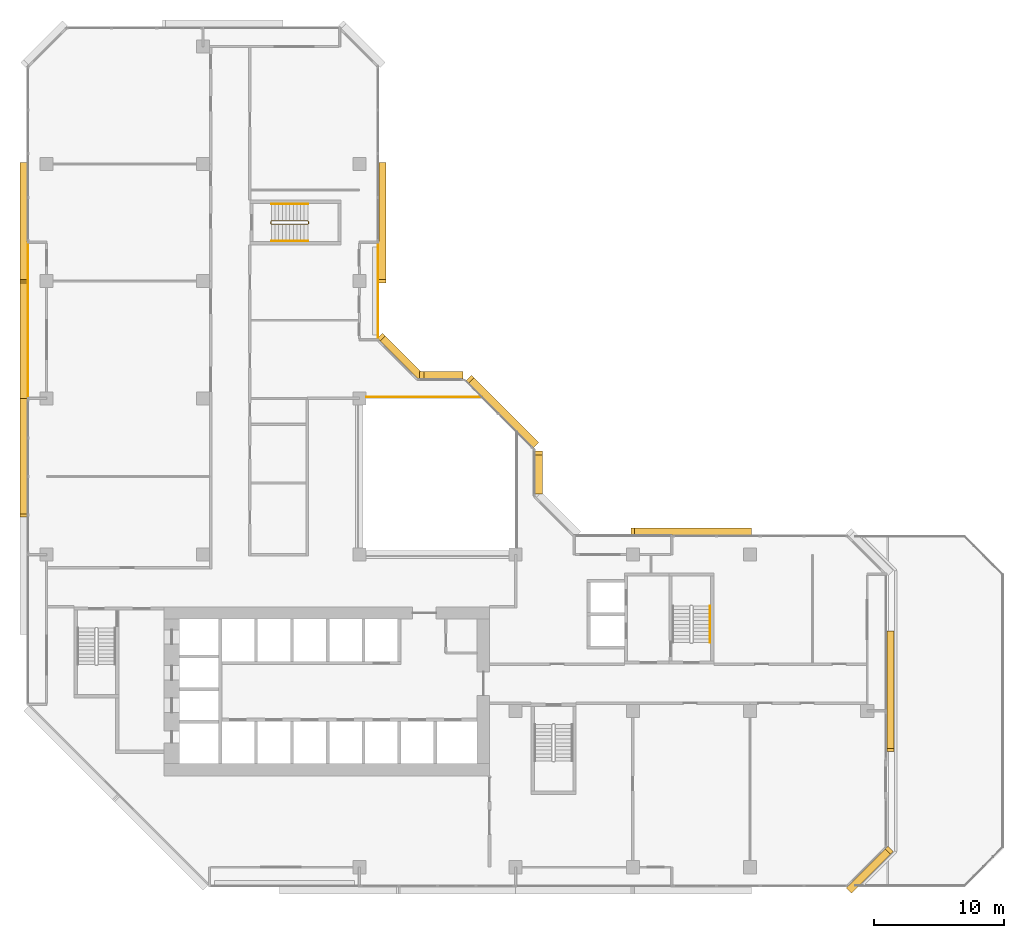
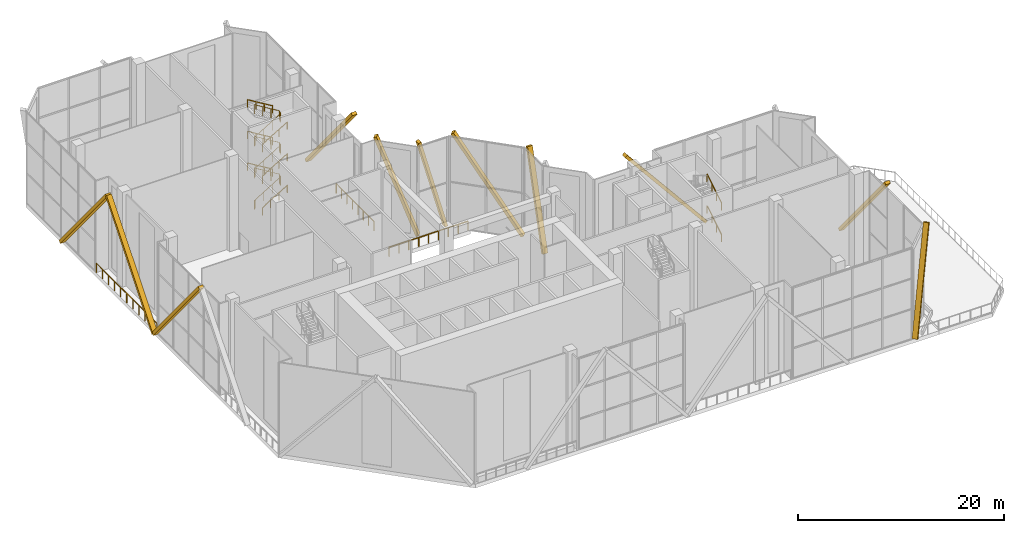
# One storey, part 20 of 21: 12 railings, 11 coverings.
"""IFC4 building model written with IfcOpenShell, lengths in metres."""

from ifc_helpers import new_model, si_unit, direction, frame, origin, origin_2d, place, context, subcontext, project, spatial, rectangle, extrude, material, material_profile, profile_set, type_object, element, save


model = new_model("IFC4")

# Units and contexts
model_context = context("Model", 3, precision=1e-05, world=origin(), true_north=direction((0.0, 1.0)))
body_context = subcontext(model_context, "Body", "Model", "MODEL_VIEW")
ifc_project = project(units=[si_unit("LENGTHUNIT", "METRE"), si_unit("AREAUNIT", "SQUARE_METRE"), si_unit("VOLUMEUNIT", "CUBIC_METRE"), si_unit("PLANEANGLEUNIT", "RADIAN"), si_unit("MASSUNIT", "GRAM", prefix="KILO")], contexts=[model_context])

# Site, building, storey
site_placement = place(None, origin())
site = spatial("IfcSite", under=ifc_project, at=site_placement, CompositionType="ELEMENT")
building_placement = place(site_placement, origin())
building = spatial("IfcBuilding", under=site, at=building_placement, Name="Chenar Terraces", CompositionType="ELEMENT")
storey_placement = place(building_placement, frame((0.0, 0.0, 146.14990234375)))
storey = spatial("IfcBuildingStorey", under=building, at=storey_placement, Name="L34", CompositionType="ELEMENT", Elevation=146.14990234375)

# Railings
ifc_material_1 = material(Name="Powder-coated steel", Category="steel")
railing_type_1 = type_object("IfcRailingType", Name="Guard 1100 steel rail with glass infill", PredefinedType="GUARDRAIL", material=ifc_material_1)
railing_1_placement = place(storey_placement, frame((24.550048828125, 36.10009765625, 0.0)))
element("IfcRailing", 1, at=railing_1_placement, inside=storey, type_object=railing_type_1, Name="Guard L34-2", PredefinedType="GUARDRAIL", context=body_context, shape_type="SweptSolid", body=[
    extrude(rectangle(XDim=0.06005859375, YDim=0.06005859375, at=origin_2d()), frame((0.0, 0.0, 1.070068359375), z_axis=(1.0, 0.0, 0.0), x_axis=(0.0, 1.0, 0.0)), (0.0, 0.0, 1.0), 8.849853515625),
    extrude(rectangle(XDim=0.050048828125, YDim=0.050048828125, at=origin_2d()), origin(), (0.0, 0.0, 1.0), 1.0400390625),
    extrude(rectangle(XDim=0.050048828125, YDim=0.050048828125, at=origin_2d()), frame((1.106201171875, 0.0, 0.0)), (0.0, 0.0, 1.0), 1.0400390625),
    extrude(rectangle(XDim=0.050048828125, YDim=0.050048828125, at=origin_2d()), frame((2.21240234375, 0.0, 0.0)), (0.0, 0.0, 1.0), 1.0400390625),
    extrude(rectangle(XDim=0.050048828125, YDim=0.050048828125, at=origin_2d()), frame((3.318603515625, 0.0, 0.0)), (0.0, 0.0, 1.0), 1.0400390625),
    extrude(rectangle(XDim=0.050048828125, YDim=0.050048828125, at=origin_2d()), frame((4.4248046875, 0.0, 0.0)), (0.0, 0.0, 1.0), 1.0400390625),
    extrude(rectangle(XDim=0.050048828125, YDim=0.050048828125, at=origin_2d()), frame((5.53125, 0.0, 0.0)), (0.0, 0.0, 1.0), 1.0400390625),
    extrude(rectangle(XDim=0.050048828125, YDim=0.050048828125, at=origin_2d()), frame((6.637451171875, 0.0, 0.0)), (0.0, 0.0, 1.0), 1.0400390625),
    extrude(rectangle(XDim=0.050048828125, YDim=0.050048828125, at=origin_2d()), frame((7.74365234375, 0.0, 0.0)), (0.0, 0.0, 1.0), 1.0400390625),
    extrude(rectangle(XDim=0.050048828125, YDim=0.050048828125, at=origin_2d()), frame((8.849853515625, 0.0, 0.0)), (0.0, 0.0, 1.0), 1.0400390625),
])
ifc_material_2 = material(Name="Stainless steel and glass", Category="steel")
railing_type_2 = type_object("IfcRailingType", Name="Loggia guard 1150", PredefinedType="GUARDRAIL", material=ifc_material_2)
railing_2_placement = place(storey_placement, frame((25.449951171875, 40.574951171875, 0.0)))
element("IfcRailing", 2, at=railing_2_placement, inside=storey, type_object=railing_type_2, Name="Loggia guard", PredefinedType="GUARDRAIL", context=body_context, shape_type="SweptSolid", body=[
    extrude(rectangle(XDim=0.048095703125, YDim=0.048095703125, at=origin_2d()), frame((0.0, 0.0, 1.1259765625), z_axis=(0.0, 1.0, 0.0), x_axis=(-1.0, 0.0, 0.0)), (0.0, 0.0, 1.0), 7.35009765625),
    extrude(rectangle(XDim=0.0419921875, YDim=0.0419921875, at=origin_2d()), origin(), (0.0, 0.0, 1.0), 1.101806640625),
    extrude(rectangle(XDim=0.0419921875, YDim=0.0419921875, at=origin_2d()), frame((0.0, 1.050048828125, 0.0)), (0.0, 0.0, 1.0), 1.101806640625),
    extrude(rectangle(XDim=0.0419921875, YDim=0.0419921875, at=origin_2d()), frame((0.0, 2.10009765625, 0.0)), (0.0, 0.0, 1.0), 1.101806640625),
    extrude(rectangle(XDim=0.0419921875, YDim=0.0419921875, at=origin_2d()), frame((0.0, 3.150146484375, 0.0)), (0.0, 0.0, 1.0), 1.101806640625),
    extrude(rectangle(XDim=0.0419921875, YDim=0.0419921875, at=origin_2d()), frame((0.0, 4.199951171875, 0.0)), (0.0, 0.0, 1.0), 1.101806640625),
    extrude(rectangle(XDim=0.0419921875, YDim=0.0419921875, at=origin_2d()), frame((0.0, 5.25, 0.0)), (0.0, 0.0, 1.0), 1.101806640625),
    extrude(rectangle(XDim=0.0419921875, YDim=0.0419921875, at=origin_2d()), frame((0.0, 6.300048828125, 0.0)), (0.0, 0.0, 1.0), 1.101806640625),
    extrude(rectangle(XDim=0.0419921875, YDim=0.0419921875, at=origin_2d()), frame((0.0, 7.35009765625, 0.0)), (0.0, 0.0, 1.0), 1.101806640625),
])
railing_3_placement = place(storey_placement, frame((-1.449951171875, 47.925048828125, 0.0)))
element("IfcRailing", 3, at=railing_3_placement, inside=storey, type_object=railing_type_2, Name="Loggia guard", PredefinedType="GUARDRAIL", context=body_context, shape_type="SweptSolid", body=[
    extrude(rectangle(XDim=0.048095703125, YDim=0.048095703125, at=origin_2d()), frame((0.0, 0.0, 1.1259765625), z_axis=(0.0, -1.0, 0.0), x_axis=(1.0, 0.0, 0.0)), (0.0, 0.0, 1.0), 11.85009765625),
    extrude(rectangle(XDim=0.0419921875, YDim=0.0419921875, at=origin_2d()), origin(), (0.0, 0.0, 1.0), 1.101806640625),
    extrude(rectangle(XDim=0.0419921875, YDim=0.0419921875, at=origin_2d()), frame((0.0, -1.18505859375, 0.0)), (0.0, 0.0, 1.0), 1.101806640625),
    extrude(rectangle(XDim=0.0419921875, YDim=0.0419921875, at=origin_2d()), frame((0.0, -2.3701171875, 0.0)), (0.0, 0.0, 1.0), 1.101806640625),
    extrude(rectangle(XDim=0.0419921875, YDim=0.0419921875, at=origin_2d()), frame((0.0, -3.554931640625, 0.0)), (0.0, 0.0, 1.0), 1.101806640625),
    extrude(rectangle(XDim=0.0419921875, YDim=0.0419921875, at=origin_2d()), frame((0.0, -4.739990234375, 0.0)), (0.0, 0.0, 1.0), 1.101806640625),
    extrude(rectangle(XDim=0.0419921875, YDim=0.0419921875, at=origin_2d()), frame((0.0, -5.925048828125, 0.0)), (0.0, 0.0, 1.0), 1.101806640625),
    extrude(rectangle(XDim=0.0419921875, YDim=0.0419921875, at=origin_2d()), frame((0.0, -7.110107421875, 0.0)), (0.0, 0.0, 1.0), 1.101806640625),
    extrude(rectangle(XDim=0.0419921875, YDim=0.0419921875, at=origin_2d()), frame((0.0, -8.295166015625, 0.0)), (0.0, 0.0, 1.0), 1.101806640625),
    extrude(rectangle(XDim=0.0419921875, YDim=0.0419921875, at=origin_2d()), frame((0.0, -9.47998046875, 0.0)), (0.0, 0.0, 1.0), 1.101806640625),
    extrude(rectangle(XDim=0.0419921875, YDim=0.0419921875, at=origin_2d()), frame((0.0, -10.6650390625, 0.0)), (0.0, 0.0, 1.0), 1.101806640625),
    extrude(rectangle(XDim=0.0419921875, YDim=0.0419921875, at=origin_2d()), frame((0.0, -11.85009765625, 0.0)), (0.0, 0.0, 1.0), 1.101806640625),
])
ifc_material_3 = material(Name="Powder-coated steel", Category="steel")
railing_type_3 = type_object("IfcRailingType", Name="Stair guard 1100", PredefinedType="GUARDRAIL", material=ifc_material_3)
railing_4_placement = place(storey_placement, frame((17.25, 49.625, 11.25)))
element("IfcRailing", 4, at=railing_4_placement, inside=storey, type_object=railing_type_3, Name="L34 ST4 stair guard 1", PredefinedType="GUARDRAIL", context=body_context, shape_type="SweptSolid", body=[
    extrude(rectangle(XDim=0.048095703125, YDim=0.048095703125, at=origin_2d()), frame((0.0, 0.0, 1.076171875), z_axis=(0.854202870247, 0.0, -0.519939858505), x_axis=(0.0, 1.0, 0.0)), (0.0, 0.0, 1.0), 3.278076171875),
    extrude(rectangle(XDim=0.048095703125, YDim=0.048095703125, at=origin_2d()), frame((2.800048828125, 0.0, -0.62841796875), z_axis=(0.270899902878, -0.270899902878, -0.923702595667), x_axis=(0.707106781187, 0.707106781187, 0.0)), (0.0, 0.0, 1.0), 0.184814453125),
    extrude(rectangle(XDim=0.048095703125, YDim=0.048095703125, at=origin_2d()), frame((2.85009765625, -0.050048828125, -0.798828125), z_axis=(0.0, -1.0, 0.0), x_axis=(1.0, 0.0, 0.0)), (0.0, 0.0, 1.0), 0.14990234375),
    extrude(rectangle(XDim=0.048095703125, YDim=0.048095703125, at=origin_2d()), frame((2.85009765625, -0.199951171875, -0.798828125), z_axis=(-0.707106781187, -0.707106781187, 0.0), x_axis=(0.707106781187, -0.707106781187, 0.0)), (0.0, 0.0, 1.0), 0.07080078125),
    extrude(rectangle(XDim=0.048095703125, YDim=0.048095703125, at=origin_2d()), frame((2.800048828125, -0.25, -0.798828125), z_axis=(-0.854202870247, 0.0, -0.519939858505), x_axis=(0.0, -1.0, 0.0)), (0.0, 0.0, 1.0), 3.278076171875),
    extrude(rectangle(XDim=0.048095703125, YDim=0.048095703125, at=origin_2d()), frame((0.0, -0.25, -2.50341796875), z_axis=(-0.187030483662, 0.747209590826, -0.637728332097), x_axis=(-0.970072785993, -0.242814311512, 0.0)), (0.0, 0.0, 1.0), 0.267578125),
    extrude(rectangle(XDim=0.048095703125, YDim=0.048095703125, at=origin_2d()), frame((-0.050048828125, -0.050048828125, -2.673828125), z_axis=(0.0, -1.0, 0.0), x_axis=(1.0, 0.0, 0.0)), (0.0, 0.0, 1.0), 0.14990234375),
    extrude(rectangle(XDim=0.048095703125, YDim=0.048095703125, at=origin_2d()), frame((-0.050048828125, -0.199951171875, -2.673828125), z_axis=(0.242814311512, 0.970072785993, 0.0), x_axis=(-0.970072785993, 0.242814311512, 0.0)), (0.0, 0.0, 1.0), 0.2060546875),
    extrude(rectangle(XDim=0.048095703125, YDim=0.048095703125, at=origin_2d()), frame((0.0, 0.0, -2.673828125), z_axis=(0.854202870247, 0.0, -0.519939858505), x_axis=(0.0, 1.0, 0.0)), (0.0, 0.0, 1.0), 3.278076171875),
    extrude(rectangle(XDim=0.048095703125, YDim=0.048095703125, at=origin_2d()), frame((2.800048828125, 0.0, -4.37841796875), z_axis=(0.270899902878, -0.270899902878, -0.923702595667), x_axis=(0.707106781187, 0.707106781187, 0.0)), (0.0, 0.0, 1.0), 0.184814453125),
    extrude(rectangle(XDim=0.048095703125, YDim=0.048095703125, at=origin_2d()), frame((2.85009765625, -0.050048828125, -4.548828125), z_axis=(0.0, -1.0, 0.0), x_axis=(1.0, 0.0, 0.0)), (0.0, 0.0, 1.0), 0.14990234375),
    extrude(rectangle(XDim=0.048095703125, YDim=0.048095703125, at=origin_2d()), frame((2.85009765625, -0.199951171875, -4.548828125), z_axis=(-0.707106781187, -0.707106781187, 0.0), x_axis=(0.707106781187, -0.707106781187, 0.0)), (0.0, 0.0, 1.0), 0.07080078125),
    extrude(rectangle(XDim=0.048095703125, YDim=0.048095703125, at=origin_2d()), frame((2.800048828125, -0.25, -4.548828125), z_axis=(-0.854202870247, 0.0, -0.519939858505), x_axis=(0.0, -1.0, 0.0)), (0.0, 0.0, 1.0), 3.278076171875),
    extrude(rectangle(XDim=0.048095703125, YDim=0.048095703125, at=origin_2d()), frame((0.0, -0.25, -6.25341796875), z_axis=(-0.187030483662, 0.747209590826, -0.637728332097), x_axis=(-0.970072785993, -0.242814311512, 0.0)), (0.0, 0.0, 1.0), 0.267578125),
    extrude(rectangle(XDim=0.048095703125, YDim=0.048095703125, at=origin_2d()), frame((-0.050048828125, -0.050048828125, -6.423828125), z_axis=(0.0, -1.0, 0.0), x_axis=(1.0, 0.0, 0.0)), (0.0, 0.0, 1.0), 0.14990234375),
    extrude(rectangle(XDim=0.048095703125, YDim=0.048095703125, at=origin_2d()), frame((-0.050048828125, -0.199951171875, -6.423828125), z_axis=(0.242814311512, 0.970072785993, 0.0), x_axis=(-0.970072785993, 0.242814311512, 0.0)), (0.0, 0.0, 1.0), 0.2060546875),
    extrude(rectangle(XDim=0.048095703125, YDim=0.048095703125, at=origin_2d()), frame((0.0, 0.0, -6.423828125), z_axis=(0.854202870247, 0.0, -0.519939858505), x_axis=(0.0, 1.0, 0.0)), (0.0, 0.0, 1.0), 3.278076171875),
    extrude(rectangle(XDim=0.048095703125, YDim=0.048095703125, at=origin_2d()), frame((2.800048828125, 0.0, -8.12841796875), z_axis=(0.270899902878, -0.270899902878, -0.923702595667), x_axis=(0.707106781187, 0.707106781187, 0.0)), (0.0, 0.0, 1.0), 0.184814453125),
    extrude(rectangle(XDim=0.048095703125, YDim=0.048095703125, at=origin_2d()), frame((2.85009765625, -0.050048828125, -8.298828125), z_axis=(0.0, -1.0, 0.0), x_axis=(1.0, 0.0, 0.0)), (0.0, 0.0, 1.0), 0.14990234375),
    extrude(rectangle(XDim=0.048095703125, YDim=0.048095703125, at=origin_2d()), frame((2.85009765625, -0.199951171875, -8.298828125), z_axis=(-0.707106781187, -0.707106781187, 0.0), x_axis=(0.707106781187, -0.707106781187, 0.0)), (0.0, 0.0, 1.0), 0.07080078125),
    extrude(rectangle(XDim=0.048095703125, YDim=0.048095703125, at=origin_2d()), frame((2.800048828125, -0.25, -8.298828125), z_axis=(-0.854202870247, 0.0, -0.519939858505), x_axis=(0.0, -1.0, 0.0)), (0.0, 0.0, 1.0), 3.278076171875),
    extrude(rectangle(XDim=0.048095703125, YDim=0.048095703125, at=origin_2d()), frame((0.0, -0.25, -10.00341796875), z_axis=(-0.270899902878, 0.270899902878, -0.923702595667), x_axis=(-0.707106781187, -0.707106781187, 0.0)), (0.0, 0.0, 1.0), 0.184814453125),
    extrude(rectangle(XDim=0.048095703125, YDim=0.048095703125, at=origin_2d()), frame((-0.050048828125, -0.199951171875, -10.173828125), z_axis=(0.0, 1.0, 0.0), x_axis=(-1.0, 0.0, 0.0)), (0.0, 0.0, 1.0), 0.14990234375),
    extrude(rectangle(XDim=0.0419921875, YDim=0.0419921875, at=origin_2d()), origin(), (0.0, 0.0, 1.0), 1.052001953125),
    extrude(rectangle(XDim=0.0419921875, YDim=0.0419921875, at=origin_2d()), frame((0.933349609375, 0.0, -0.568115234375)), (0.0, 0.0, 1.0), 1.052001953125),
    extrude(rectangle(XDim=0.0419921875, YDim=0.0419921875, at=origin_2d()), frame((1.86669921875, 0.0, -1.13623046875)), (0.0, 0.0, 1.0), 1.052001953125),
    extrude(rectangle(XDim=0.0419921875, YDim=0.0419921875, at=origin_2d()), frame((2.800048828125, 0.0, -1.704345703125)), (0.0, 0.0, 1.0), 1.052001953125),
    extrude(rectangle(XDim=0.0419921875, YDim=0.0419921875, at=origin_2d()), frame((2.85009765625, -0.050048828125, -1.875)), (0.0, 0.0, 1.0), 1.052001953125),
    extrude(rectangle(XDim=0.0419921875, YDim=0.0419921875, at=origin_2d()), frame((2.85009765625, -0.199951171875, -1.875)), (0.0, 0.0, 1.0), 1.052001953125),
    extrude(rectangle(XDim=0.0419921875, YDim=0.0419921875, at=origin_2d()), frame((2.800048828125, -0.25, -1.875)), (0.0, 0.0, 1.0), 1.052001953125),
    extrude(rectangle(XDim=0.0419921875, YDim=0.0419921875, at=origin_2d()), frame((1.86669921875, -0.25, -2.443115234375)), (0.0, 0.0, 1.0), 1.052001953125),
    extrude(rectangle(XDim=0.0419921875, YDim=0.0419921875, at=origin_2d()), frame((0.933349609375, -0.25, -3.01123046875)), (0.0, 0.0, 1.0), 1.052001953125),
    extrude(rectangle(XDim=0.0419921875, YDim=0.0419921875, at=origin_2d()), frame((0.0, -0.25, -3.579345703125)), (0.0, 0.0, 1.0), 1.052001953125),
    extrude(rectangle(XDim=0.0419921875, YDim=0.0419921875, at=origin_2d()), frame((-0.050048828125, -0.050048828125, -3.75)), (0.0, 0.0, 1.0), 1.052001953125),
    extrude(rectangle(XDim=0.0419921875, YDim=0.0419921875, at=origin_2d()), frame((-0.050048828125, -0.199951171875, -3.75)), (0.0, 0.0, 1.0), 1.052001953125),
    extrude(rectangle(XDim=0.0419921875, YDim=0.0419921875, at=origin_2d()), frame((0.0, 0.0, -3.75)), (0.0, 0.0, 1.0), 1.052001953125),
    extrude(rectangle(XDim=0.0419921875, YDim=0.0419921875, at=origin_2d()), frame((0.933349609375, 0.0, -4.318115234375)), (0.0, 0.0, 1.0), 1.052001953125),
    extrude(rectangle(XDim=0.0419921875, YDim=0.0419921875, at=origin_2d()), frame((1.86669921875, 0.0, -4.88623046875)), (0.0, 0.0, 1.0), 1.052001953125),
    extrude(rectangle(XDim=0.0419921875, YDim=0.0419921875, at=origin_2d()), frame((2.800048828125, 0.0, -5.454345703125)), (0.0, 0.0, 1.0), 1.052001953125),
    extrude(rectangle(XDim=0.0419921875, YDim=0.0419921875, at=origin_2d()), frame((2.85009765625, -0.050048828125, -5.625)), (0.0, 0.0, 1.0), 1.052001953125),
    extrude(rectangle(XDim=0.0419921875, YDim=0.0419921875, at=origin_2d()), frame((2.85009765625, -0.199951171875, -5.625)), (0.0, 0.0, 1.0), 1.052001953125),
    extrude(rectangle(XDim=0.0419921875, YDim=0.0419921875, at=origin_2d()), frame((2.800048828125, -0.25, -5.625)), (0.0, 0.0, 1.0), 1.052001953125),
    extrude(rectangle(XDim=0.0419921875, YDim=0.0419921875, at=origin_2d()), frame((1.86669921875, -0.25, -6.193115234375)), (0.0, 0.0, 1.0), 1.052001953125),
    extrude(rectangle(XDim=0.0419921875, YDim=0.0419921875, at=origin_2d()), frame((0.933349609375, -0.25, -6.76123046875)), (0.0, 0.0, 1.0), 1.052001953125),
    extrude(rectangle(XDim=0.0419921875, YDim=0.0419921875, at=origin_2d()), frame((0.0, -0.25, -7.329345703125)), (0.0, 0.0, 1.0), 1.052001953125),
    extrude(rectangle(XDim=0.0419921875, YDim=0.0419921875, at=origin_2d()), frame((-0.050048828125, -0.050048828125, -7.5)), (0.0, 0.0, 1.0), 1.052001953125),
    extrude(rectangle(XDim=0.0419921875, YDim=0.0419921875, at=origin_2d()), frame((-0.050048828125, -0.199951171875, -7.5)), (0.0, 0.0, 1.0), 1.052001953125),
    extrude(rectangle(XDim=0.0419921875, YDim=0.0419921875, at=origin_2d()), frame((0.0, 0.0, -7.5)), (0.0, 0.0, 1.0), 1.052001953125),
    extrude(rectangle(XDim=0.0419921875, YDim=0.0419921875, at=origin_2d()), frame((0.933349609375, 0.0, -8.068115234375)), (0.0, 0.0, 1.0), 1.052001953125),
    extrude(rectangle(XDim=0.0419921875, YDim=0.0419921875, at=origin_2d()), frame((1.86669921875, 0.0, -8.63623046875)), (0.0, 0.0, 1.0), 1.052001953125),
    extrude(rectangle(XDim=0.0419921875, YDim=0.0419921875, at=origin_2d()), frame((2.800048828125, 0.0, -9.204345703125)), (0.0, 0.0, 1.0), 1.052001953125),
    extrude(rectangle(XDim=0.0419921875, YDim=0.0419921875, at=origin_2d()), frame((2.85009765625, -0.050048828125, -9.375)), (0.0, 0.0, 1.0), 1.052001953125),
    extrude(rectangle(XDim=0.0419921875, YDim=0.0419921875, at=origin_2d()), frame((2.85009765625, -0.199951171875, -9.375)), (0.0, 0.0, 1.0), 1.052001953125),
    extrude(rectangle(XDim=0.0419921875, YDim=0.0419921875, at=origin_2d()), frame((2.800048828125, -0.25, -9.375)), (0.0, 0.0, 1.0), 1.052001953125),
    extrude(rectangle(XDim=0.0419921875, YDim=0.0419921875, at=origin_2d()), frame((1.86669921875, -0.25, -9.943115234375)), (0.0, 0.0, 1.0), 1.052001953125),
    extrude(rectangle(XDim=0.0419921875, YDim=0.0419921875, at=origin_2d()), frame((0.933349609375, -0.25, -10.51123046875)), (0.0, 0.0, 1.0), 1.052001953125),
    extrude(rectangle(XDim=0.0419921875, YDim=0.0419921875, at=origin_2d()), frame((0.0, -0.25, -11.079345703125)), (0.0, 0.0, 1.0), 1.052001953125),
    extrude(rectangle(XDim=0.0419921875, YDim=0.0419921875, at=origin_2d()), frame((-0.050048828125, -0.199951171875, -11.25)), (0.0, 0.0, 1.0), 1.052001953125),
    extrude(rectangle(XDim=0.0419921875, YDim=0.0419921875, at=origin_2d()), frame((-0.050048828125, -0.050048828125, -11.25)), (0.0, 0.0, 1.0), 1.052001953125),
])
ifc_material_4 = material(Name="Powder-coated steel", Category="steel")
railing_type_4 = type_object("IfcRailingType", Name="Stair handrail 900", PredefinedType="HANDRAIL", material=ifc_material_4)
for number, where, name in (
    (5, (50.925048828125, 17.25, 3.920654296875), "L34 ST3 stair handrail 3"),
    (6, (50.925048828125, 17.25, 7.670654296875), "L34 ST3 stair handrail 5"),
):
    element("IfcRailing", number, at=place(storey_placement, frame(where)), inside=storey, type_object=railing_type_4, Name=name, PredefinedType="HANDRAIL", context=body_context, shape_type="SweptSolid", body=[
        extrude(rectangle(XDim=0.048095703125, YDim=0.048095703125, at=origin_2d()), frame((0.0, 0.0, 0.8759765625), z_axis=(0.0, 0.854202870247, 0.519939858505), x_axis=(-1.0, 0.0, 0.0)), (0.0, 0.0, 1.0), 3.278076171875),
        extrude(rectangle(XDim=0.0419921875, YDim=0.0419921875, at=origin_2d()), origin(), (0.0, 0.0, 1.0), 0.851806640625),
        extrude(rectangle(XDim=0.0419921875, YDim=0.0419921875, at=origin_2d()), frame((0.0, 0.933349609375, 0.568115234375)), (0.0, 0.0, 1.0), 0.851806640625),
        extrude(rectangle(XDim=0.0419921875, YDim=0.0419921875, at=origin_2d()), frame((0.0, 1.86669921875, 1.13623046875)), (0.0, 0.0, 1.0), 0.851806640625),
        extrude(rectangle(XDim=0.0419921875, YDim=0.0419921875, at=origin_2d()), frame((0.0, 2.800048828125, 1.704345703125)), (0.0, 0.0, 1.0), 0.851806640625),
    ])
railing_5_placement = place(storey_placement, frame((17.25, 48.074951171875, 0.170654296875)))
element("IfcRailing", 7, at=railing_5_placement, inside=storey, type_object=railing_type_4, Name="L34 ST4 stair handrail 1", PredefinedType="HANDRAIL", context=body_context, shape_type="SweptSolid", body=[
    extrude(rectangle(XDim=0.048095703125, YDim=0.048095703125, at=origin_2d()), frame((0.0, 0.0, 0.8759765625), z_axis=(0.854202870247, 0.0, 0.519939858505), x_axis=(0.0, 1.0, 0.0)), (0.0, 0.0, 1.0), 3.278076171875),
    extrude(rectangle(XDim=0.0419921875, YDim=0.0419921875, at=origin_2d()), origin(), (0.0, 0.0, 1.0), 0.851806640625),
    extrude(rectangle(XDim=0.0419921875, YDim=0.0419921875, at=origin_2d()), frame((0.933349609375, 0.0, 0.568115234375)), (0.0, 0.0, 1.0), 0.851806640625),
    extrude(rectangle(XDim=0.0419921875, YDim=0.0419921875, at=origin_2d()), frame((1.86669921875, 0.0, 1.13623046875)), (0.0, 0.0, 1.0), 0.851806640625),
    extrude(rectangle(XDim=0.0419921875, YDim=0.0419921875, at=origin_2d()), frame((2.800048828125, 0.0, 1.704345703125)), (0.0, 0.0, 1.0), 0.851806640625),
])
railing_6_placement = place(storey_placement, frame((20.050048828125, 50.925048828125, 2.045654296875)))
element("IfcRailing", 8, at=railing_6_placement, inside=storey, type_object=railing_type_4, Name="L34 ST4 stair handrail 2", PredefinedType="HANDRAIL", context=body_context, shape_type="SweptSolid", body=[
    extrude(rectangle(XDim=0.048095703125, YDim=0.048095703125, at=origin_2d()), frame((0.0, 0.0, 0.8759765625), z_axis=(-0.854202870247, 0.0, 0.519939858505), x_axis=(0.0, -1.0, 0.0)), (0.0, 0.0, 1.0), 3.278076171875),
    extrude(rectangle(XDim=0.0419921875, YDim=0.0419921875, at=origin_2d()), origin(), (0.0, 0.0, 1.0), 0.851806640625),
    extrude(rectangle(XDim=0.0419921875, YDim=0.0419921875, at=origin_2d()), frame((-0.933349609375, 0.0, 0.568115234375)), (0.0, 0.0, 1.0), 0.851806640625),
    extrude(rectangle(XDim=0.0419921875, YDim=0.0419921875, at=origin_2d()), frame((-1.86669921875, 0.0, 1.13623046875)), (0.0, 0.0, 1.0), 0.851806640625),
    extrude(rectangle(XDim=0.0419921875, YDim=0.0419921875, at=origin_2d()), frame((-2.800048828125, 0.0, 1.704345703125)), (0.0, 0.0, 1.0), 0.851806640625),
])
railing_7_placement = place(storey_placement, frame((17.25, 48.074951171875, 3.920654296875)))
element("IfcRailing", 9, at=railing_7_placement, inside=storey, type_object=railing_type_4, Name="L34 ST4 stair handrail 3", PredefinedType="HANDRAIL", context=body_context, shape_type="SweptSolid", body=[
    extrude(rectangle(XDim=0.048095703125, YDim=0.048095703125, at=origin_2d()), frame((0.0, 0.0, 0.8759765625), z_axis=(0.854202870247, 0.0, 0.519939858505), x_axis=(0.0, 1.0, 0.0)), (0.0, 0.0, 1.0), 3.278076171875),
    extrude(rectangle(XDim=0.0419921875, YDim=0.0419921875, at=origin_2d()), origin(), (0.0, 0.0, 1.0), 0.851806640625),
    extrude(rectangle(XDim=0.0419921875, YDim=0.0419921875, at=origin_2d()), frame((0.933349609375, 0.0, 0.568115234375)), (0.0, 0.0, 1.0), 0.851806640625),
    extrude(rectangle(XDim=0.0419921875, YDim=0.0419921875, at=origin_2d()), frame((1.86669921875, 0.0, 1.13623046875)), (0.0, 0.0, 1.0), 0.851806640625),
    extrude(rectangle(XDim=0.0419921875, YDim=0.0419921875, at=origin_2d()), frame((2.800048828125, 0.0, 1.704345703125)), (0.0, 0.0, 1.0), 0.851806640625),
])
railing_8_placement = place(storey_placement, frame((20.050048828125, 50.925048828125, 5.795654296875)))
element("IfcRailing", 10, at=railing_8_placement, inside=storey, type_object=railing_type_4, Name="L34 ST4 stair handrail 4", PredefinedType="HANDRAIL", context=body_context, shape_type="SweptSolid", body=[
    extrude(rectangle(XDim=0.048095703125, YDim=0.048095703125, at=origin_2d()), frame((0.0, 0.0, 0.8759765625), z_axis=(-0.854202870247, 0.0, 0.519939858505), x_axis=(0.0, -1.0, 0.0)), (0.0, 0.0, 1.0), 3.278076171875),
    extrude(rectangle(XDim=0.0419921875, YDim=0.0419921875, at=origin_2d()), origin(), (0.0, 0.0, 1.0), 0.851806640625),
    extrude(rectangle(XDim=0.0419921875, YDim=0.0419921875, at=origin_2d()), frame((-0.933349609375, 0.0, 0.568115234375)), (0.0, 0.0, 1.0), 0.851806640625),
    extrude(rectangle(XDim=0.0419921875, YDim=0.0419921875, at=origin_2d()), frame((-1.86669921875, 0.0, 1.13623046875)), (0.0, 0.0, 1.0), 0.851806640625),
    extrude(rectangle(XDim=0.0419921875, YDim=0.0419921875, at=origin_2d()), frame((-2.800048828125, 0.0, 1.704345703125)), (0.0, 0.0, 1.0), 0.851806640625),
])
railing_9_placement = place(storey_placement, frame((17.25, 48.074951171875, 7.670654296875)))
element("IfcRailing", 11, at=railing_9_placement, inside=storey, type_object=railing_type_4, Name="L34 ST4 stair handrail 5", PredefinedType="HANDRAIL", context=body_context, shape_type="SweptSolid", body=[
    extrude(rectangle(XDim=0.048095703125, YDim=0.048095703125, at=origin_2d()), frame((0.0, 0.0, 0.8759765625), z_axis=(0.854202870247, 0.0, 0.519939858505), x_axis=(0.0, 1.0, 0.0)), (0.0, 0.0, 1.0), 3.278076171875),
    extrude(rectangle(XDim=0.0419921875, YDim=0.0419921875, at=origin_2d()), origin(), (0.0, 0.0, 1.0), 0.851806640625),
    extrude(rectangle(XDim=0.0419921875, YDim=0.0419921875, at=origin_2d()), frame((0.933349609375, 0.0, 0.568115234375)), (0.0, 0.0, 1.0), 0.851806640625),
    extrude(rectangle(XDim=0.0419921875, YDim=0.0419921875, at=origin_2d()), frame((1.86669921875, 0.0, 1.13623046875)), (0.0, 0.0, 1.0), 0.851806640625),
    extrude(rectangle(XDim=0.0419921875, YDim=0.0419921875, at=origin_2d()), frame((2.800048828125, 0.0, 1.704345703125)), (0.0, 0.0, 1.0), 0.851806640625),
])
railing_10_placement = place(storey_placement, frame((20.050048828125, 50.925048828125, 9.545654296875)))
element("IfcRailing", 12, at=railing_10_placement, inside=storey, type_object=railing_type_4, Name="L34 ST4 stair handrail 6", PredefinedType="HANDRAIL", context=body_context, shape_type="SweptSolid", body=[
    extrude(rectangle(XDim=0.048095703125, YDim=0.048095703125, at=origin_2d()), frame((0.0, 0.0, 0.8759765625), z_axis=(-0.854202870247, 0.0, 0.519939858505), x_axis=(0.0, -1.0, 0.0)), (0.0, 0.0, 1.0), 3.278076171875),
    extrude(rectangle(XDim=0.0419921875, YDim=0.0419921875, at=origin_2d()), origin(), (0.0, 0.0, 1.0), 0.851806640625),
    extrude(rectangle(XDim=0.0419921875, YDim=0.0419921875, at=origin_2d()), frame((-0.933349609375, 0.0, 0.568115234375)), (0.0, 0.0, 1.0), 0.851806640625),
    extrude(rectangle(XDim=0.0419921875, YDim=0.0419921875, at=origin_2d()), frame((-1.86669921875, 0.0, 1.13623046875)), (0.0, 0.0, 1.0), 0.851806640625),
    extrude(rectangle(XDim=0.0419921875, YDim=0.0419921875, at=origin_2d()), frame((-2.800048828125, 0.0, 1.704345703125)), (0.0, 0.0, 1.0), 0.851806640625),
])

# Coverings
ifc_material_5 = material(Name="Terracotta", Category="masonry")
ifc_material_profile = material_profile(ifc_material_5, rectangle(XDim=0.550048828125, YDim=0.330078125, at=origin_2d()), Name="Terracotta baguette 550 x 330")
ifc_profile_set = profile_set([ifc_material_profile], Name="Terracotta")
covering_type = type_object("IfcCoveringType", Name="Terracotta baguette 550 x 330", PredefinedType="CLADDING", material=ifc_profile_set)
covering_1_placement = place(storey_placement, frame((54.0, 25.77490234375, 0.150146484375), z_axis=(-0.634966765532, 0.0, 0.772539453148), x_axis=(0.0, -1.0, 0.0)))
element("IfcCovering", 13, at=covering_1_placement, inside=storey, type_object=covering_type, Name="Terracotta baguette", PredefinedType="CLADDING", context=body_context, shape_type="SweptSolid", body=[
    extrude(rectangle(XDim=0.550048828125, YDim=0.330078125, at=origin_2d()), origin(), (0.0, 0.0, 1.0), 14.174072265625),
])
covering_2_placement = place(storey_placement, frame((37.77490234375, 28.800048828125, 0.150146484375), z_axis=(0.0, 0.26423624309, 0.964457986559), x_axis=(-1.0, 0.0, 0.0)))
element("IfcCovering", 14, at=covering_2_placement, inside=storey, type_object=covering_type, Name="Terracotta baguette", PredefinedType="CLADDING", context=body_context, shape_type="SweptSolid", body=[
    extrude(rectangle(XDim=0.550048828125, YDim=0.330078125, at=origin_2d()), origin(), (0.0, 0.0, 1.0), 11.353515625),
])
covering_3_placement = place(storey_placement, frame((37.482421875, 32.506591796875, 0.150146484375), z_axis=(-0.382282332253, 0.382282332253, 0.841261217991), x_axis=(-0.707106781187, -0.707106781187, 0.0)))
element("IfcCovering", 15, at=covering_3_placement, inside=storey, type_object=covering_type, Name="Terracotta baguette", PredefinedType="CLADDING", context=body_context, shape_type="SweptSolid", body=[
    extrude(rectangle(XDim=0.550048828125, YDim=0.330078125, at=origin_2d()), origin(), (0.0, 0.0, 1.0), 13.01611328125),
])
covering_4_placement = place(storey_placement, frame((31.800048828125, 37.77490234375, 0.150146484375), z_axis=(-0.26423624309, 0.0, 0.964457986559), x_axis=(0.0, -1.0, 0.0)))
element("IfcCovering", 16, at=covering_4_placement, inside=storey, type_object=covering_type, Name="Terracotta baguette", PredefinedType="CLADDING", context=body_context, shape_type="SweptSolid", body=[
    extrude(rectangle(XDim=0.550048828125, YDim=0.330078125, at=origin_2d()), origin(), (0.0, 0.0, 1.0), 11.353515625),
])
covering_5_placement = place(storey_placement, frame((28.6943359375, 37.6943359375, 0.150146484375), z_axis=(-0.255448778865, 0.255469569031, 0.932459768931), x_axis=(-0.70713555402, -0.707078007182, 0.0)))
element("IfcCovering", 17, at=covering_5_placement, inside=storey, type_object=covering_type, Name="Terracotta baguette", PredefinedType="CLADDING", context=body_context, shape_type="SweptSolid", body=[
    extrude(rectangle(XDim=0.550048828125, YDim=0.330078125, at=origin_2d()), origin(), (0.0, 0.0, 1.0), 11.7431640625),
])
for number, where, z_axis, x_axis, name in (
    (18, (25.77490234375, 45.0, 11.10009765625), (0.0, 0.634966765532, -0.772539453148), (-1.0, 0.0, 0.0), "Terracotta baguette"),
    (19, (-1.77490234375, 54.0, 0.150146484375), (0.0, -0.634966765532, 0.772539453148), (1.0, 0.0, 0.0), "Terracotta baguette"),
    (20, (-1.77490234375, 45.0, 11.10009765625), (0.0, -0.634966765532, -0.772539453148), (1.0, 0.0, 0.0), "Terracotta baguette"),
    (21, (-1.77490234375, 36.0, 0.150146484375), (0.0, -0.634966765532, 0.772539453148), (1.0, 0.0, 0.0), "Terracotta baguette"),
):
    element("IfcCovering", number, at=place(storey_placement, frame(where, z_axis=z_axis, x_axis=x_axis)), inside=storey, type_object=covering_type, Name=name, PredefinedType="CLADDING", context=body_context, shape_type="SweptSolid", body=[
        extrude(rectangle(XDim=0.550048828125, YDim=0.330078125, at=origin_2d()), origin(), (0.0, 0.0, 1.0), 14.174072265625),
    ])
covering_6_placement = place(storey_placement, frame((61.6943359375, -1.6943359375, 0.150146484375), z_axis=(0.255469569031, 0.255448778865, 0.932459768931), x_axis=(-0.707078007182, 0.70713555402, 0.0)))
element("IfcCovering", 22, at=covering_6_placement, inside=storey, type_object=covering_type, Name="Terracotta baguette", PredefinedType="CLADDING", context=body_context, shape_type="SweptSolid", body=[
    extrude(rectangle(XDim=0.550048828125, YDim=0.330078125, at=origin_2d()), origin(), (0.0, 0.0, 1.0), 11.7431640625),
])
covering_7_placement = place(storey_placement, frame((64.77490234375, 9.0, 11.10009765625), z_axis=(0.0, 0.634966765532, -0.772539453148), x_axis=(-1.0, 0.0, 0.0)))
element("IfcCovering", 23, at=covering_7_placement, inside=storey, type_object=covering_type, Name="Terracotta baguette", PredefinedType="CLADDING", context=body_context, shape_type="SweptSolid", body=[
    extrude(rectangle(XDim=0.550048828125, YDim=0.330078125, at=origin_2d()), origin(), (0.0, 0.0, 1.0), 14.174072265625),
])

save(model, "model.ifc")
